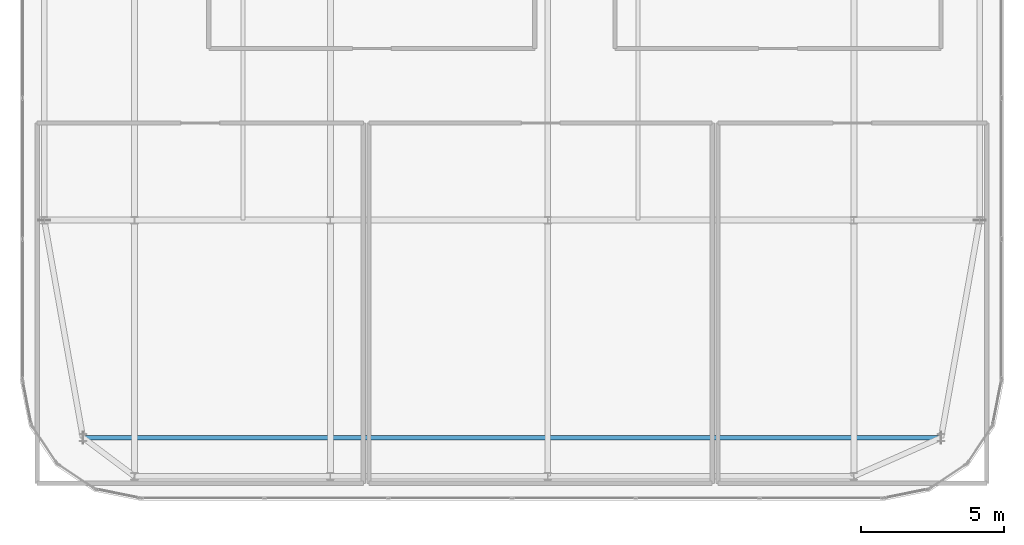
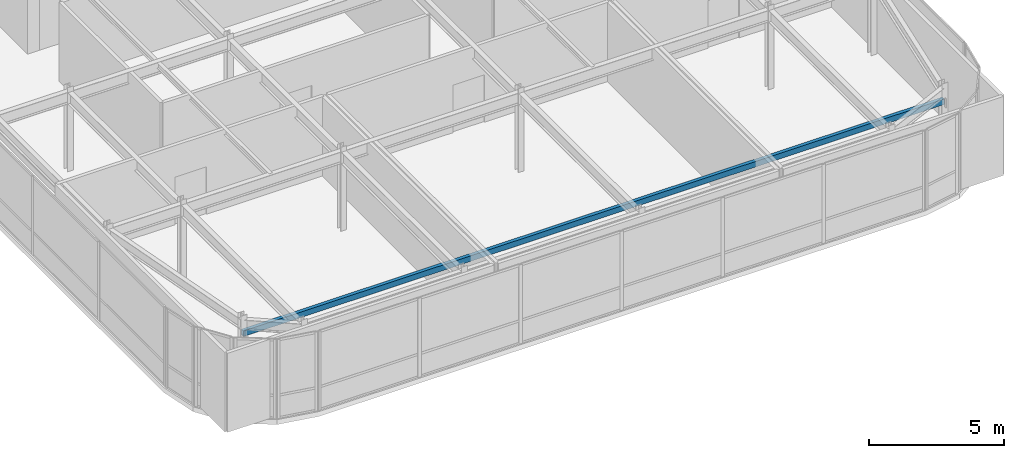
# One storey, part 11 of 36: 1 member.
"""IFC4 building model written with IfcOpenShell, lengths in metres."""

from ifc_helpers import new_model, si_unit, direction, frame, origin, origin_2d, place, context, subcontext, project, spatial, hollow_rectangle, extrude, source, transform, mapped, material, material_profile, profile_set, type_object, type_shapes, element, save


model = new_model("IFC4")

# Units and contexts
model_context = context("Model", 3, precision=1e-05, world=origin(), true_north=direction((0.0, 1.0)))
body_context = subcontext(model_context, "Body", "Model", "MODEL_VIEW")
ifc_project = project(units=[si_unit("LENGTHUNIT", "METRE"), si_unit("AREAUNIT", "SQUARE_METRE"), si_unit("VOLUMEUNIT", "CUBIC_METRE"), si_unit("PLANEANGLEUNIT", "RADIAN"), si_unit("MASSUNIT", "GRAM", prefix="KILO")], contexts=[model_context])

# Site, building, storey
site_placement = place(None, origin())
site = spatial("IfcSite", under=ifc_project, at=site_placement, CompositionType="ELEMENT")
building_placement = place(site_placement, origin())
building = spatial("IfcBuilding", under=site, at=building_placement, Name="Tolvann Quenvar Hotel", CompositionType="ELEMENT")
storey_placement = place(building_placement, frame((0.0, 0.0, 302.35009765625)))
storey = spatial("IfcBuildingStorey", under=building, at=storey_placement, Name="L80", CompositionType="ELEMENT", Elevation=302.35009765625)

# Member
ifc_material = material(Name="Steel Grade 450 (C450L0)", Category="steel")
ifc_material_profile = material_profile(ifc_material, hollow_rectangle(XDim=0.14990234375, YDim=0.25, WallThickness=0.009033203125, at=origin_2d()), Name="250x150x9RHS")
ifc_profile_set = profile_set([ifc_material_profile], Name="Steel Grade 450 (C450L0)")
member_type = type_object("IfcMemberType", Name="MEM_CROWN_250RHS", PredefinedType="USERDEFINED", material=ifc_profile_set)
shared_shape = source(origin(), body_context, "Body", "SweptSolid", [
    extrude(hollow_rectangle(XDim=0.14990234375, YDim=0.25, WallThickness=0.009033203125, at=origin_2d()), origin(), (0.0, 0.0, 1.0), 30.0),
])
type_shapes(member_type, [shared_shape])
member_placement = place(storey_placement, frame((5.800048828125, 8.39990234375, 2.929931640625), z_axis=(1.0, 0.0, 0.0), x_axis=(0.0, 1.0, 0.0)))
element("IfcMember", 1, at=member_placement, inside=storey, type_object=member_type, Name="Crown Frame Ring Member (L80-1)", ObjectType="CROWN FRAME", PredefinedType="USERDEFINED", context=body_context, shape_type="MappedRepresentation", body=[
    mapped(shared_shape, transform((0.0, 0.0, 0.0), x_axis=(1.0, 0.0, 0.0), y_axis=(0.0, 1.0, 0.0), z_axis=(0.0, 0.0, 1.0), scale=1.0)),
])

save(model, "model.ifc")
